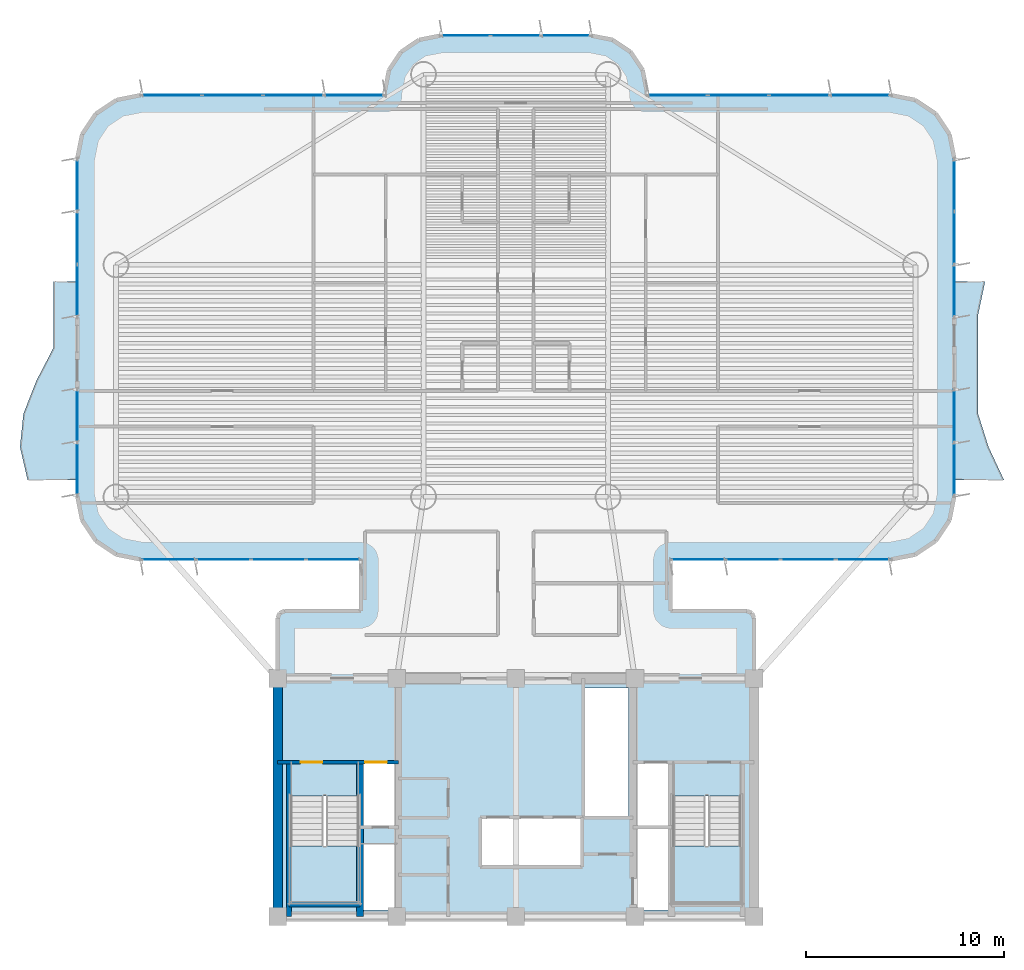
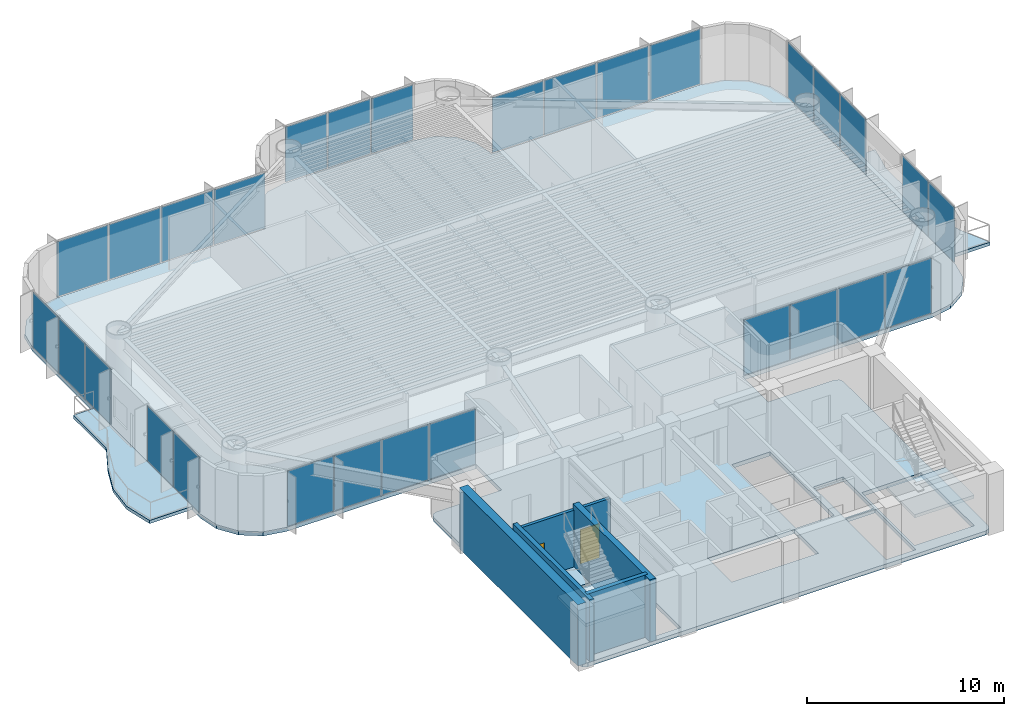
# One storey, part 8 of 16: 29 plates, 5 slabs, 5 walls, 2 doors, 2 openings, 11 elements without a shape of their own.
"""IFC4 building model written with IfcOpenShell, lengths in metres."""

from ifc_helpers import new_model, si_unit, direction, frame, frame_2d, origin, origin_2d, place, context, subcontext, project, spatial, polyline, rectangle, outline, extrude, source, transform, mapped, material, layer, layer_set, type_object, element, fill, aggregate, save


model = new_model("IFC4")

# Units and contexts
model_context = context("Model", 3, precision=1e-05, world=origin(), true_north=direction((0.0, 1.0)))
body_context = subcontext(model_context, "Body", "Model", "MODEL_VIEW")
ifc_project = project(units=[si_unit("LENGTHUNIT", "METRE"), si_unit("AREAUNIT", "SQUARE_METRE"), si_unit("VOLUMEUNIT", "CUBIC_METRE"), si_unit("PLANEANGLEUNIT", "RADIAN"), si_unit("MASSUNIT", "GRAM", prefix="KILO")], contexts=[model_context])

# Site, building, storey
site_placement = place(None, origin())
site = spatial("IfcSite", under=ifc_project, at=site_placement, CompositionType="ELEMENT")
building_placement = place(site_placement, origin())
building = spatial("IfcBuilding", under=site, at=building_placement, Name="Brelvock Crest Care Tower", CompositionType="ELEMENT")
storey_placement = place(building_placement, frame((0.0, 0.0, 138.9599609375)))
storey = spatial("IfcBuildingStorey", under=building, at=storey_placement, Name="L35", CompositionType="ELEMENT", Elevation=138.9599609375)

# Slabs
ifc_material_1 = material(Name="Concrete N50 (50 MPa)", Category="concrete")
ifc_layer_1 = layer(ifc_material_1, 0.22998046875, Name="SLB-FL4")
ifc_layer_set_1 = layer_set([ifc_layer_1], Name="Concrete N50 (50 MPa)")
slab_type_1 = type_object("IfcSlabType", Name="SLB-FL4", PredefinedType="FLOOR", material=ifc_layer_set_1)
slab_1_placement = place(storey_placement, frame((0.0, 0.0, -0.25)))
element("IfcSlab", 1, at=slab_1_placement, inside=storey, type_object=slab_type_1, Name="L35 Main Structural Slab", PredefinedType="FLOOR", context=body_context, shape_type="SweptSolid", body=[
    extrude(outline(polyline([(47.64990234375, 21.39990234375), (43.800048828125, 21.39990234375), (43.800048828125, 24.0), (54.89990234375, 24.0), (56.12451171875, 24.24365234375), (57.16259765625, 24.937255859375), (57.8564453125, 25.975341796875), (58.10009765625, 27.199951171875), (58.10009765625, 44.199951171875), (57.8564453125, 45.424560546875), (57.16259765625, 46.462646484375), (56.12451171875, 47.156494140625), (54.89990234375, 47.39990234375), (42.60009765625, 47.39990234375), (42.60009765625, 47.60009765625), (42.386962890625, 48.67138671875), (41.77978515625, 49.579833984375), (40.87158203125, 50.18701171875), (39.800048828125, 50.39990234375), (32.199951171875, 50.39990234375), (31.12841796875, 50.18701171875), (30.22021484375, 49.579833984375), (29.613037109375, 48.67138671875), (29.39990234375, 47.60009765625), (29.39990234375, 47.39990234375), (17.10009765625, 47.39990234375), (15.87548828125, 47.156494140625), (14.83740234375, 46.462646484375), (14.1435546875, 45.424560546875), (13.89990234375, 44.199951171875), (13.89990234375, 27.199951171875), (14.1435546875, 25.975341796875), (14.83740234375, 24.937255859375), (15.87548828125, 24.24365234375), (17.10009765625, 24.0), (28.199951171875, 24.0), (28.199951171875, 21.39990234375), (24.35009765625, 21.39990234375), (24.1025390625, 21.297607421875), (24.0, 21.050048828125), (24.0, 6.35009765625), (24.1025390625, 6.1025390625), (24.35009765625, 6.0), (47.64990234375, 6.0), (47.8974609375, 6.1025390625), (48.0, 6.35009765625), (48.0, 21.050048828125), (47.8974609375, 21.297607421875), (47.64990234375, 21.39990234375)]), holes=[polyline([(28.239990234375, 10.580078125), (29.97998046875, 10.580078125), (29.97998046875, 13.739990234375), (28.239990234375, 13.739990234375), (28.239990234375, 10.580078125)]), polyline([(42.02001953125, 10.580078125), (43.760009765625, 10.580078125), (43.760009765625, 13.739990234375), (42.02001953125, 13.739990234375), (42.02001953125, 10.580078125)]), polyline([(28.239990234375, 6.340087890625), (29.97998046875, 6.340087890625), (29.97998046875, 9.64990234375), (28.239990234375, 9.64990234375), (28.239990234375, 6.340087890625)]), polyline([(24.6298828125, 12.080078125), (24.6298828125, 6.699951171875), (28.110107421875, 6.699951171875), (28.110107421875, 12.080078125), (24.6298828125, 12.080078125)]), polyline([(43.889892578125, 12.080078125), (43.889892578125, 6.699951171875), (47.3701171875, 6.699951171875), (47.3701171875, 12.080078125), (43.889892578125, 12.080078125)]), polyline([(42.02001953125, 6.340087890625), (43.760009765625, 6.340087890625), (43.760009765625, 10.5), (42.02001953125, 10.5), (42.02001953125, 6.340087890625)]), polyline([(34.22998046875, 8.530029296875), (39.320068359375, 8.530029296875), (39.320068359375, 10.969970703125), (34.22998046875, 10.969970703125), (34.22998046875, 8.530029296875)]), polyline([(39.429931640625, 11.030029296875), (41.669921875, 11.030029296875), (41.669921875, 17.52001953125), (39.429931640625, 17.52001953125), (39.429931640625, 11.030029296875)])]), origin(), (0.0, 0.0, 1.0), 0.25),
])
ifc_layer_2 = layer(ifc_material_1, 0.199951171875, Name="SLB-WB2")
ifc_layer_set_2 = layer_set([ifc_layer_2], Name="Concrete N50 (50 MPa)")
slab_type_2 = type_object("IfcSlabType", Name="SLB-WB2", PredefinedType="FLOOR", material=ifc_layer_set_2)
slab_2_placement = place(storey_placement, frame((0.0, 0.0, -0.199951171875)))
element("IfcSlab", 2, at=slab_2_placement, inside=storey, type_object=slab_type_2, Name="L35 W Sinusoidal Wave Balcony Slab", PredefinedType="FLOOR", context=body_context, shape_type="SweptSolid", body=[
    extrude(outline(polyline([(13.89990234375, 38.0), (12.699951171875, 38.0), (12.699951171875, 36.333251953125), (12.699462890625, 34.666748046875), (11.83349609375, 33.0), (11.180908203125, 31.333251953125), (11.011474609375, 29.666748046875), (11.3955078125, 28.0), (13.89990234375, 28.0), (13.89990234375, 38.0)])), origin(), (0.0, 0.0, 1.0), 0.199951171875),
])
slab_3_placement = place(storey_placement, frame((0.0, 0.0, -0.199951171875)))
element("IfcSlab", 3, at=slab_3_placement, inside=storey, type_object=slab_type_2, Name="L35 E Sinusoidal Wave Balcony Slab", PredefinedType="FLOOR", context=body_context, shape_type="SweptSolid", body=[
    extrude(outline(polyline([(58.10009765625, 28.0), (60.6044921875, 28.0), (59.826171875, 29.666748046875), (59.300048828125, 31.333251953125), (59.300048828125, 33.0), (59.300048828125, 34.666748046875), (59.300048828125, 36.333251953125), (59.64990234375, 38.0), (58.10009765625, 38.0), (58.10009765625, 28.0)])), origin(), (0.0, 0.0, 1.0), 0.199951171875),
])

# Stair, slab
ifc_material_2 = material(Name="Concrete N40 (40 MPa)", Category="concrete")
stair_type = type_object("IfcStairType", Name="ST-CORE1", PredefinedType="HALF_TURN_STAIR", material=ifc_material_2)
stair_1_placement = place(storey_placement, origin())
stair_1 = element("IfcStair", 4, at=stair_1_placement, inside=storey, type_object=stair_type, Name="L35 Fire-Isolated Core Stair ST-1", PredefinedType="HALF_TURN_STAIR")
ifc_layer_3 = layer(ifc_material_2, 0.199951171875, Name="STL-1")
ifc_layer_set_3 = layer_set([ifc_layer_3], Name="Concrete N40 (40 MPa)")
slab_type_3 = type_object("IfcSlabType", Name="STL-1", PredefinedType="LANDING", material=ifc_layer_set_3)
slab_4_placement = place(storey_placement, frame((0.0, 0.0, 1.68994140625)))
slab_4 = element("IfcSlab", 5, at=slab_4_placement, type_object=slab_type_3, Name="ST-1 landing 1", PredefinedType="LANDING", context=body_context, shape_type="SweptSolid", body=[
    extrude(outline(polyline([(24.6298828125, 9.56005859375), (24.6298828125, 6.699951171875), (28.110107421875, 6.699951171875), (28.110107421875, 9.56005859375), (24.6298828125, 9.56005859375)])), origin(), (0.0, 0.0, 1.0), 0.2001953125),
])
aggregate(stair_1, [slab_4])

stair_2_placement = place(storey_placement, origin())
stair_2 = element("IfcStair", 6, at=stair_2_placement, inside=storey, type_object=stair_type, Name="L35 Fire-Isolated Core Stair ST-2", PredefinedType="HALF_TURN_STAIR")
slab_5_placement = place(storey_placement, frame((0.0, 0.0, 1.68994140625)))
slab_5 = element("IfcSlab", 7, at=slab_5_placement, type_object=slab_type_3, Name="ST-2 landing 1", PredefinedType="LANDING", context=body_context, shape_type="SweptSolid", body=[
    extrude(outline(polyline([(43.889892578125, 9.56005859375), (43.889892578125, 6.699951171875), (47.3701171875, 6.699951171875), (47.3701171875, 9.56005859375), (43.889892578125, 9.56005859375)])), origin(), (0.0, 0.0, 1.0), 0.2001953125),
])
aggregate(stair_2, [slab_5])

# Curtain wall, plates
ifc_material_3 = material(Name="Dark Glass Double Glazed Low-E", Category="glass")
ifc_layer_4 = layer(ifc_material_3, 0.2099609375, Name="CWS-3")
ifc_layer_set_4 = layer_set([ifc_layer_4], Name="Dark Glass Double Glazed Low-E")
curtain_wall_type = type_object("IfcCurtainWallType", Name="CWS-3", PredefinedType="NOTDEFINED", material=ifc_layer_set_4)
curtain_wall_1_placement = place(storey_placement, origin())
curtain_wall_1 = element("IfcCurtainWall", 8, at=curtain_wall_1_placement, inside=storey, type_object=curtain_wall_type, Name="L35 Curtain Wall E12", PredefinedType="NOTDEFINED")
ifc_layer_5 = layer(ifc_material_3, 0.031982421875, Name="CWP-V1")
ifc_layer_set_5 = layer_set([ifc_layer_5], Name="Dark Glass Double Glazed Low-E")
plate_type = type_object("IfcPlateType", Name="CWP-V1", PredefinedType="CURTAIN_PANEL", material=ifc_layer_set_5)
shared_shape_1 = source(origin(), body_context, "Body", "SweptSolid", [
    extrude(rectangle(XDim=2.68505859375, YDim=0.035888671875, at=origin_2d()), origin(), (0.0, 0.0, 1.0), 3.409912109375),
])
plate_1_placement = place(storey_placement, frame((26.797607421875, 24.0, 0.06005859375), z_axis=(0.0, 0.0, 1.0), x_axis=(-1.0, 0.0, 0.0)))
plate_1 = element("IfcPlate", 9, at=plate_1_placement, type_object=plate_type, Name="CW-3 panel 1.1", PredefinedType="CURTAIN_PANEL", context=body_context, shape_type="MappedRepresentation", body=[
    mapped(shared_shape_1, transform((0.0, 0.0, 0.0), x_axis=(1.0, 0.0, 0.0), y_axis=(0.0, 1.0, 0.0), z_axis=(0.0, 0.0, 1.0), scale=1.0)),
])
plate_2_placement = place(storey_placement, frame((18.50244140625, 24.0, 0.06005859375), z_axis=(0.0, 0.0, 1.0), x_axis=(-1.0, 0.0, 0.0)))
plate_2 = element("IfcPlate", 10, at=plate_2_placement, type_object=plate_type, Name="CW-3 panel 4.1", PredefinedType="CURTAIN_PANEL", context=body_context, shape_type="MappedRepresentation", body=[
    mapped(shared_shape_1, transform((0.0, 0.0, 0.0), x_axis=(1.0, 0.0, 0.0), y_axis=(0.0, 1.0, 0.0), z_axis=(0.0, 0.0, 1.0), scale=1.0)),
])

curtain_wall_2_placement = place(storey_placement, origin())
curtain_wall_2 = element("IfcCurtainWall", 11, at=curtain_wall_2_placement, inside=storey, type_object=curtain_wall_type, Name="L35 Curtain Wall E44", PredefinedType="NOTDEFINED")
plate_3_placement = place(storey_placement, frame((53.49755859375, 24.0, 0.06005859375), z_axis=(0.0, 0.0, 1.0), x_axis=(-1.0, 0.0, 0.0)))
plate_3 = element("IfcPlate", 12, at=plate_3_placement, type_object=plate_type, Name="CW-3 panel 1.1", PredefinedType="CURTAIN_PANEL", context=body_context, shape_type="MappedRepresentation", body=[
    mapped(shared_shape_1, transform((0.0, 0.0, 0.0), x_axis=(1.0, 0.0, 0.0), y_axis=(0.0, 1.0, 0.0), z_axis=(0.0, 0.0, 1.0), scale=1.0)),
])
plate_4_placement = place(storey_placement, frame((45.202392578125, 24.0, 0.06005859375), z_axis=(0.0, 0.0, 1.0), x_axis=(-1.0, 0.0, 0.0)))
plate_4 = element("IfcPlate", 13, at=plate_4_placement, type_object=plate_type, Name="CW-3 panel 4.1", PredefinedType="CURTAIN_PANEL", context=body_context, shape_type="MappedRepresentation", body=[
    mapped(shared_shape_1, transform((0.0, 0.0, 0.0), x_axis=(1.0, 0.0, 0.0), y_axis=(0.0, 1.0, 0.0), z_axis=(0.0, 0.0, 1.0), scale=1.0)),
])

# Plate
shared_shape_2 = source(origin(), body_context, "Body", "SweptSolid", [
    extrude(rectangle(XDim=2.715087890625, YDim=0.035888671875, at=origin_2d()), origin(), (0.0, 0.0, 1.0), 3.409912109375),
])
plate_5_placement = place(storey_placement, frame((24.03759765625, 24.0, 0.06005859375), z_axis=(0.0, 0.0, 1.0), x_axis=(-1.0, 0.0, 0.0)))
plate_5 = element("IfcPlate", 14, at=plate_5_placement, type_object=plate_type, Name="CW-3 panel 2.1", PredefinedType="CURTAIN_PANEL", context=body_context, shape_type="MappedRepresentation", body=[
    mapped(shared_shape_2, transform((0.0, 0.0, 0.0), x_axis=(1.0, 0.0, 0.0), y_axis=(0.0, 1.0, 0.0), z_axis=(0.0, 0.0, 1.0), scale=1.0)),
])

plate_6_placement = place(storey_placement, frame((21.262451171875, 24.0, 0.06005859375), z_axis=(0.0, 0.0, 1.0), x_axis=(-1.0, 0.0, 0.0)))
plate_6 = element("IfcPlate", 15, at=plate_6_placement, type_object=plate_type, Name="CW-3 panel 3.1", PredefinedType="CURTAIN_PANEL", context=body_context, shape_type="MappedRepresentation", body=[
    mapped(shared_shape_2, transform((0.0, 0.0, 0.0), x_axis=(1.0, 0.0, 0.0), y_axis=(0.0, 1.0, 0.0), z_axis=(0.0, 0.0, 1.0), scale=1.0)),
])

aggregate(curtain_wall_1, [plate_1, plate_5, plate_6, plate_2])

plate_7_placement = place(storey_placement, frame((50.737548828125, 24.0, 0.06005859375), z_axis=(0.0, 0.0, 1.0), x_axis=(-1.0, 0.0, 0.0)))
plate_7 = element("IfcPlate", 16, at=plate_7_placement, type_object=plate_type, Name="CW-3 panel 2.1", PredefinedType="CURTAIN_PANEL", context=body_context, shape_type="MappedRepresentation", body=[
    mapped(shared_shape_2, transform((0.0, 0.0, 0.0), x_axis=(1.0, 0.0, 0.0), y_axis=(0.0, 1.0, 0.0), z_axis=(0.0, 0.0, 1.0), scale=1.0)),
])

plate_8_placement = place(storey_placement, frame((47.96240234375, 24.0, 0.06005859375), z_axis=(0.0, 0.0, 1.0), x_axis=(-1.0, 0.0, 0.0)))
plate_8 = element("IfcPlate", 17, at=plate_8_placement, type_object=plate_type, Name="CW-3 panel 3.1", PredefinedType="CURTAIN_PANEL", context=body_context, shape_type="MappedRepresentation", body=[
    mapped(shared_shape_2, transform((0.0, 0.0, 0.0), x_axis=(1.0, 0.0, 0.0), y_axis=(0.0, 1.0, 0.0), z_axis=(0.0, 0.0, 1.0), scale=1.0)),
])

aggregate(curtain_wall_2, [plate_3, plate_7, plate_8, plate_4])

# Curtain wall, plates
curtain_wall_3_placement = place(storey_placement, origin())
curtain_wall_3 = element("IfcCurtainWall", 18, at=curtain_wall_3_placement, inside=storey, type_object=curtain_wall_type, Name="L35 Curtain Wall E22", PredefinedType="NOTDEFINED")
shared_shape_3 = source(origin(), body_context, "Body", "SweptSolid", [
    extrude(rectangle(XDim=2.985107421875, YDim=0.035888671875, at=origin_2d()), origin(), (0.0, 0.0, 1.0), 3.409912109375),
])
plate_9_placement = place(storey_placement, frame((18.652587890625, 47.39990234375, 0.06005859375), z_axis=(0.0, 0.0, 1.0), x_axis=(1.0, 0.0, 0.0)))
plate_9 = element("IfcPlate", 19, at=plate_9_placement, type_object=plate_type, Name="CW-3 panel 1.1", PredefinedType="CURTAIN_PANEL", context=body_context, shape_type="MappedRepresentation", body=[
    mapped(shared_shape_3, transform((0.0, 0.0, 0.0), x_axis=(1.0, 0.0, 0.0), y_axis=(0.0, 1.0, 0.0), z_axis=(0.0, 0.0, 1.0), scale=1.0)),
])
plate_10_placement = place(storey_placement, frame((27.847412109375, 47.39990234375, 0.06005859375), z_axis=(0.0, 0.0, 1.0), x_axis=(1.0, 0.0, 0.0)))
plate_10 = element("IfcPlate", 20, at=plate_10_placement, type_object=plate_type, Name="CW-3 panel 4.1", PredefinedType="CURTAIN_PANEL", context=body_context, shape_type="MappedRepresentation", body=[
    mapped(shared_shape_3, transform((0.0, 0.0, 0.0), x_axis=(1.0, 0.0, 0.0), y_axis=(0.0, 1.0, 0.0), z_axis=(0.0, 0.0, 1.0), scale=1.0)),
])

curtain_wall_4_placement = place(storey_placement, origin())
curtain_wall_4 = element("IfcCurtainWall", 21, at=curtain_wall_4_placement, inside=storey, type_object=curtain_wall_type, Name="L35 Curtain Wall E34", PredefinedType="NOTDEFINED")
plate_11_placement = place(storey_placement, frame((44.152587890625, 47.39990234375, 0.06005859375), z_axis=(0.0, 0.0, 1.0), x_axis=(1.0, 0.0, 0.0)))
plate_11 = element("IfcPlate", 22, at=plate_11_placement, type_object=plate_type, Name="CW-3 panel 1.1", PredefinedType="CURTAIN_PANEL", context=body_context, shape_type="MappedRepresentation", body=[
    mapped(shared_shape_3, transform((0.0, 0.0, 0.0), x_axis=(1.0, 0.0, 0.0), y_axis=(0.0, 1.0, 0.0), z_axis=(0.0, 0.0, 1.0), scale=1.0)),
])
plate_12_placement = place(storey_placement, frame((53.347412109375, 47.39990234375, 0.06005859375), z_axis=(0.0, 0.0, 1.0), x_axis=(1.0, 0.0, 0.0)))
plate_12 = element("IfcPlate", 23, at=plate_12_placement, type_object=plate_type, Name="CW-3 panel 4.1", PredefinedType="CURTAIN_PANEL", context=body_context, shape_type="MappedRepresentation", body=[
    mapped(shared_shape_3, transform((0.0, 0.0, 0.0), x_axis=(1.0, 0.0, 0.0), y_axis=(0.0, 1.0, 0.0), z_axis=(0.0, 0.0, 1.0), scale=1.0)),
])

# Plate
shared_shape_4 = source(origin(), body_context, "Body", "SweptSolid", [
    extrude(rectangle(XDim=3.014892578125, YDim=0.035888671875, at=origin_2d()), origin(), (0.0, 0.0, 1.0), 3.409912109375),
])
plate_13_placement = place(storey_placement, frame((21.71240234375, 47.39990234375, 0.06005859375), z_axis=(0.0, 0.0, 1.0), x_axis=(1.0, 0.0, 0.0)))
plate_13 = element("IfcPlate", 24, at=plate_13_placement, type_object=plate_type, Name="CW-3 panel 2.1", PredefinedType="CURTAIN_PANEL", context=body_context, shape_type="MappedRepresentation", body=[
    mapped(shared_shape_4, transform((0.0, 0.0, 0.0), x_axis=(1.0, 0.0, 0.0), y_axis=(0.0, 1.0, 0.0), z_axis=(0.0, 0.0, 1.0), scale=1.0)),
])

plate_14_placement = place(storey_placement, frame((24.78759765625, 47.39990234375, 0.06005859375), z_axis=(0.0, 0.0, 1.0), x_axis=(1.0, 0.0, 0.0)))
plate_14 = element("IfcPlate", 25, at=plate_14_placement, type_object=plate_type, Name="CW-3 panel 3.1", PredefinedType="CURTAIN_PANEL", context=body_context, shape_type="MappedRepresentation", body=[
    mapped(shared_shape_4, transform((0.0, 0.0, 0.0), x_axis=(1.0, 0.0, 0.0), y_axis=(0.0, 1.0, 0.0), z_axis=(0.0, 0.0, 1.0), scale=1.0)),
])

aggregate(curtain_wall_3, [plate_9, plate_13, plate_14, plate_10])

plate_15_placement = place(storey_placement, frame((47.21240234375, 47.39990234375, 0.06005859375), z_axis=(0.0, 0.0, 1.0), x_axis=(1.0, 0.0, 0.0)))
plate_15 = element("IfcPlate", 26, at=plate_15_placement, type_object=plate_type, Name="CW-3 panel 2.1", PredefinedType="CURTAIN_PANEL", context=body_context, shape_type="MappedRepresentation", body=[
    mapped(shared_shape_4, transform((0.0, 0.0, 0.0), x_axis=(1.0, 0.0, 0.0), y_axis=(0.0, 1.0, 0.0), z_axis=(0.0, 0.0, 1.0), scale=1.0)),
])

plate_16_placement = place(storey_placement, frame((50.28759765625, 47.39990234375, 0.06005859375), z_axis=(0.0, 0.0, 1.0), x_axis=(1.0, 0.0, 0.0)))
plate_16 = element("IfcPlate", 27, at=plate_16_placement, type_object=plate_type, Name="CW-3 panel 3.1", PredefinedType="CURTAIN_PANEL", context=body_context, shape_type="MappedRepresentation", body=[
    mapped(shared_shape_4, transform((0.0, 0.0, 0.0), x_axis=(1.0, 0.0, 0.0), y_axis=(0.0, 1.0, 0.0), z_axis=(0.0, 0.0, 1.0), scale=1.0)),
])

aggregate(curtain_wall_4, [plate_11, plate_15, plate_16, plate_12])

# Curtain wall, plates
curtain_wall_5_placement = place(storey_placement, origin())
curtain_wall_5 = element("IfcCurtainWall", 28, at=curtain_wall_5_placement, inside=storey, type_object=curtain_wall_type, Name="L35 Curtain Wall E28", PredefinedType="NOTDEFINED")
shared_shape_5 = source(origin(), body_context, "Body", "SweptSolid", [
    extrude(rectangle(XDim=2.443359375, YDim=0.035888671875, at=origin_2d()), origin(), (0.0, 0.0, 1.0), 3.409912109375),
])
plate_17_placement = place(storey_placement, frame((33.481689453125, 50.39990234375, 0.06005859375), z_axis=(0.0, 0.0, 1.0), x_axis=(1.0, 0.0, 0.0)))
plate_17 = element("IfcPlate", 29, at=plate_17_placement, type_object=plate_type, Name="CW-3 panel 1.1", PredefinedType="CURTAIN_PANEL", context=body_context, shape_type="MappedRepresentation", body=[
    mapped(shared_shape_5, transform((0.0, 0.0, 0.0), x_axis=(1.0, 0.0, 0.0), y_axis=(0.0, 1.0, 0.0), z_axis=(0.0, 0.0, 1.0), scale=1.0)),
])
plate_18_placement = place(storey_placement, frame((38.518310546875, 50.39990234375, 0.06005859375), z_axis=(0.0, 0.0, 1.0), x_axis=(1.0, 0.0, 0.0)))
plate_18 = element("IfcPlate", 30, at=plate_18_placement, type_object=plate_type, Name="CW-3 panel 3.1", PredefinedType="CURTAIN_PANEL", context=body_context, shape_type="MappedRepresentation", body=[
    mapped(shared_shape_5, transform((0.0, 0.0, 0.0), x_axis=(1.0, 0.0, 0.0), y_axis=(0.0, 1.0, 0.0), z_axis=(0.0, 0.0, 1.0), scale=1.0)),
])
shared_shape_6 = source(origin(), body_context, "Body", "SweptSolid", [
    extrude(rectangle(XDim=2.473388671875, YDim=0.035888671875, at=origin_2d()), origin(), (0.0, 0.0, 1.0), 3.409912109375),
])
plate_19_placement = place(storey_placement, frame((36.0, 50.39990234375, 0.06005859375), z_axis=(0.0, 0.0, 1.0), x_axis=(1.0, 0.0, 0.0)))
plate_19 = element("IfcPlate", 31, at=plate_19_placement, type_object=plate_type, Name="CW-3 panel 2.1", PredefinedType="CURTAIN_PANEL", context=body_context, shape_type="MappedRepresentation", body=[
    mapped(shared_shape_6, transform((0.0, 0.0, 0.0), x_axis=(1.0, 0.0, 0.0), y_axis=(0.0, 1.0, 0.0), z_axis=(0.0, 0.0, 1.0), scale=1.0)),
])
aggregate(curtain_wall_5, [plate_17, plate_19, plate_18])

curtain_wall_6_placement = place(storey_placement, origin())
curtain_wall_6 = element("IfcCurtainWall", 32, at=curtain_wall_6_placement, inside=storey, type_object=curtain_wall_type, Name="L35 Curtain Wall E17A", PredefinedType="NOTDEFINED")
shared_shape_7 = source(origin(), body_context, "Body", "SweptSolid", [
    extrude(rectangle(XDim=2.610107421875, YDim=0.035888671875, at=origin_2d()), origin(), (0.0, 0.0, 1.0), 3.409912109375),
])
plate_20_placement = place(storey_placement, frame((13.89990234375, 28.56494140625, 0.06005859375), z_axis=(0.0, 0.0, 1.0), x_axis=(0.0, 1.0, 0.0)))
plate_20 = element("IfcPlate", 33, at=plate_20_placement, type_object=plate_type, Name="CW-3 panel 1.1", PredefinedType="CURTAIN_PANEL", context=body_context, shape_type="MappedRepresentation", body=[
    mapped(shared_shape_7, transform((0.0, 0.0, 0.0), x_axis=(1.0, 0.0, 0.0), y_axis=(0.0, 1.0, 0.0), z_axis=(0.0, 0.0, 1.0), scale=1.0)),
])
plate_21_placement = place(storey_placement, frame((13.89990234375, 31.235107421875, 0.06005859375), z_axis=(0.0, 0.0, 1.0), x_axis=(0.0, 1.0, 0.0)))
plate_21 = element("IfcPlate", 34, at=plate_21_placement, type_object=plate_type, Name="CW-3 panel 2.1", PredefinedType="CURTAIN_PANEL", context=body_context, shape_type="MappedRepresentation", body=[
    mapped(shared_shape_7, transform((0.0, 0.0, 0.0), x_axis=(1.0, 0.0, 0.0), y_axis=(0.0, 1.0, 0.0), z_axis=(0.0, 0.0, 1.0), scale=1.0)),
])
aggregate(curtain_wall_6, [plate_20, plate_21])

curtain_wall_7_placement = place(storey_placement, origin())
curtain_wall_7 = element("IfcCurtainWall", 35, at=curtain_wall_7_placement, inside=storey, type_object=curtain_wall_type, Name="L35 Curtain Wall E39B", PredefinedType="NOTDEFINED")
plate_22_placement = place(storey_placement, frame((58.10009765625, 31.235107421875, 0.06005859375), z_axis=(0.0, 0.0, 1.0), x_axis=(0.0, -1.0, 0.0)))
plate_22 = element("IfcPlate", 36, at=plate_22_placement, type_object=plate_type, Name="CW-3 panel 1.1", PredefinedType="CURTAIN_PANEL", context=body_context, shape_type="MappedRepresentation", body=[
    mapped(shared_shape_7, transform((0.0, 0.0, 0.0), x_axis=(1.0, 0.0, 0.0), y_axis=(0.0, 1.0, 0.0), z_axis=(0.0, 0.0, 1.0), scale=1.0)),
])
plate_23_placement = place(storey_placement, frame((58.10009765625, 28.56494140625, 0.06005859375), z_axis=(0.0, 0.0, 1.0), x_axis=(0.0, -1.0, 0.0)))
plate_23 = element("IfcPlate", 37, at=plate_23_placement, type_object=plate_type, Name="CW-3 panel 2.1", PredefinedType="CURTAIN_PANEL", context=body_context, shape_type="MappedRepresentation", body=[
    mapped(shared_shape_7, transform((0.0, 0.0, 0.0), x_axis=(1.0, 0.0, 0.0), y_axis=(0.0, 1.0, 0.0), z_axis=(0.0, 0.0, 1.0), scale=1.0)),
])
aggregate(curtain_wall_7, [plate_22, plate_23])

curtain_wall_8_placement = place(storey_placement, origin())
curtain_wall_8 = element("IfcCurtainWall", 38, at=curtain_wall_8_placement, inside=storey, type_object=curtain_wall_type, Name="L35 Curtain Wall E17B", PredefinedType="NOTDEFINED")
shared_shape_8 = source(origin(), body_context, "Body", "SweptSolid", [
    extrude(rectangle(XDim=2.57666015625, YDim=0.035888671875, at=origin_2d()), origin(), (0.0, 0.0, 1.0), 3.409912109375),
])
plate_24_placement = place(storey_placement, frame((13.89990234375, 37.54833984375, 0.06005859375), z_axis=(0.0, 0.0, 1.0), x_axis=(0.0, 1.0, 0.0)))
plate_24 = element("IfcPlate", 39, at=plate_24_placement, type_object=plate_type, Name="CW-3 panel 1.1", PredefinedType="CURTAIN_PANEL", context=body_context, shape_type="MappedRepresentation", body=[
    mapped(shared_shape_8, transform((0.0, 0.0, 0.0), x_axis=(1.0, 0.0, 0.0), y_axis=(0.0, 1.0, 0.0), z_axis=(0.0, 0.0, 1.0), scale=1.0)),
])
plate_25_placement = place(storey_placement, frame((13.89990234375, 42.8515625, 0.06005859375), z_axis=(0.0, 0.0, 1.0), x_axis=(0.0, 1.0, 0.0)))
plate_25 = element("IfcPlate", 40, at=plate_25_placement, type_object=plate_type, Name="CW-3 panel 3.1", PredefinedType="CURTAIN_PANEL", context=body_context, shape_type="MappedRepresentation", body=[
    mapped(shared_shape_8, transform((0.0, 0.0, 0.0), x_axis=(1.0, 0.0, 0.0), y_axis=(0.0, 1.0, 0.0), z_axis=(0.0, 0.0, 1.0), scale=1.0)),
])

curtain_wall_9_placement = place(storey_placement, origin())
curtain_wall_9 = element("IfcCurtainWall", 41, at=curtain_wall_9_placement, inside=storey, type_object=curtain_wall_type, Name="L35 Curtain Wall E39A", PredefinedType="NOTDEFINED")
plate_26_placement = place(storey_placement, frame((58.10009765625, 42.8515625, 0.06005859375), z_axis=(0.0, 0.0, 1.0), x_axis=(0.0, -1.0, 0.0)))
plate_26 = element("IfcPlate", 42, at=plate_26_placement, type_object=plate_type, Name="CW-3 panel 1.1", PredefinedType="CURTAIN_PANEL", context=body_context, shape_type="MappedRepresentation", body=[
    mapped(shared_shape_8, transform((0.0, 0.0, 0.0), x_axis=(1.0, 0.0, 0.0), y_axis=(0.0, 1.0, 0.0), z_axis=(0.0, 0.0, 1.0), scale=1.0)),
])
plate_27_placement = place(storey_placement, frame((58.10009765625, 37.54833984375, 0.06005859375), z_axis=(0.0, 0.0, 1.0), x_axis=(0.0, -1.0, 0.0)))
plate_27 = element("IfcPlate", 43, at=plate_27_placement, type_object=plate_type, Name="CW-3 panel 3.1", PredefinedType="CURTAIN_PANEL", context=body_context, shape_type="MappedRepresentation", body=[
    mapped(shared_shape_8, transform((0.0, 0.0, 0.0), x_axis=(1.0, 0.0, 0.0), y_axis=(0.0, 1.0, 0.0), z_axis=(0.0, 0.0, 1.0), scale=1.0)),
])

# Plate
shared_shape_9 = source(origin(), body_context, "Body", "SweptSolid", [
    extrude(rectangle(XDim=2.606689453125, YDim=0.035888671875, at=origin_2d()), origin(), (0.0, 0.0, 1.0), 3.409912109375),
])
plate_28_placement = place(storey_placement, frame((13.89990234375, 40.199951171875, 0.06005859375), z_axis=(0.0, 0.0, 1.0), x_axis=(0.0, 1.0, 0.0)))
plate_28 = element("IfcPlate", 44, at=plate_28_placement, type_object=plate_type, Name="CW-3 panel 2.1", PredefinedType="CURTAIN_PANEL", context=body_context, shape_type="MappedRepresentation", body=[
    mapped(shared_shape_9, transform((0.0, 0.0, 0.0), x_axis=(1.0, 0.0, 0.0), y_axis=(0.0, 1.0, 0.0), z_axis=(0.0, 0.0, 1.0), scale=1.0)),
])

aggregate(curtain_wall_8, [plate_24, plate_28, plate_25])

plate_29_placement = place(storey_placement, frame((58.10009765625, 40.199951171875, 0.06005859375), z_axis=(0.0, 0.0, 1.0), x_axis=(0.0, -1.0, 0.0)))
plate_29 = element("IfcPlate", 45, at=plate_29_placement, type_object=plate_type, Name="CW-3 panel 2.1", PredefinedType="CURTAIN_PANEL", context=body_context, shape_type="MappedRepresentation", body=[
    mapped(shared_shape_9, transform((0.0, 0.0, 0.0), x_axis=(1.0, 0.0, 0.0), y_axis=(0.0, 1.0, 0.0), z_axis=(0.0, 0.0, 1.0), scale=1.0)),
])

aggregate(curtain_wall_9, [plate_26, plate_29, plate_27])

# Walls
ifc_material_4 = material(Name="Concrete S80 (80 MPa)", Category="concrete")
ifc_layer_6 = layer(ifc_material_4, 0.5, Name="WL-CS2")
ifc_layer_set_6 = layer_set([ifc_layer_6], Name="Concrete S80 (80 MPa)")
wall_type_1 = type_object("IfcWallType", Name="WL-CS2", PredefinedType="SHEAR", material=ifc_layer_set_6)
wall_1_placement = place(storey_placement, frame((24.0, 6.0, 0.0), z_axis=(0.0, 0.0, 1.0), x_axis=(0.0, 1.0, 0.0)))
element("IfcWall", 46, at=wall_1_placement, inside=storey, type_object=wall_type_1, Name="L35 Core West Shear Wall", PredefinedType="SHEAR", context=body_context, shape_type="SweptSolid", body=[
    extrude(rectangle(XDim=12.0, YDim=0.5, at=frame_2d((6.0, 0.0))), origin(), (0.0, 0.0, 1.0), 3.780029296875),
])
ifc_layer_7 = layer(ifc_material_4, 0.35009765625, Name="WL-CS5")
ifc_layer_set_7 = layer_set([ifc_layer_7], Name="Concrete S80 (80 MPa)")
wall_type_2 = type_object("IfcWallType", Name="WL-CS5", PredefinedType="SHEAR", material=ifc_layer_set_7)
wall_2_placement = place(storey_placement, frame((28.14990234375, 6.0, 0.0), z_axis=(0.0, 0.0, 1.0), x_axis=(0.0, 1.0, 0.0)))
element("IfcWall", 47, at=wall_2_placement, inside=storey, type_object=wall_type_2, Name="L35 Core Stair ST-1 East Shear Wall", PredefinedType="SHEAR", context=body_context, shape_type="SweptSolid", body=[
    extrude(rectangle(XDim=7.780029296875, YDim=0.35009765625, at=frame_2d((3.89013671875, 0.0))), origin(), (0.0, 0.0, 1.0), 3.85009765625),
])
ifc_layer_8 = layer(ifc_material_4, 0.25, Name="WL-CS6")
ifc_layer_set_8 = layer_set([ifc_layer_8], Name="Concrete S80 (80 MPa)")
wall_type_3 = type_object("IfcWallType", Name="WL-CS6", PredefinedType="SHEAR", material=ifc_layer_set_8)
wall_3_placement = place(storey_placement, frame((24.580078125, 6.0, 0.0), z_axis=(0.0, 0.0, 1.0), x_axis=(0.0, 1.0, 0.0)))
element("IfcWall", 48, at=wall_3_placement, inside=storey, type_object=wall_type_3, Name="L35 Core Stair ST-1 West Shear Wall", PredefinedType="SHEAR", context=body_context, shape_type="SweptSolid", body=[
    extrude(rectangle(XDim=7.780029296875, YDim=0.25, at=frame_2d((3.89013671875, 0.0))), origin(), (0.0, 0.0, 1.0), 3.85009765625),
])
wall_4_placement = place(storey_placement, frame((24.580078125, 6.6201171875, 0.0), z_axis=(0.0, 0.0, 1.0), x_axis=(1.0, 0.0, 0.0)))
element("IfcWall", 49, at=wall_4_placement, inside=storey, type_object=wall_type_3, Name="L35 Core Stair ST-1 South Shear Wall", PredefinedType="SHEAR", context=body_context, shape_type="SweptSolid", body=[
    extrude(rectangle(XDim=3.56982421875, YDim=0.25, at=frame_2d((1.784912109375, 0.0))), origin(), (0.0, 0.0, 1.0), 3.85009765625),
])

# Wall, openings, doors
ifc_material_5 = material(Name="Masonry Blockwork Acoustic Partition", Category="masonry")
ifc_layer_9 = layer(ifc_material_5, 0.179931640625, Name="WL-SHF1")
ifc_layer_set_9 = layer_set([ifc_layer_9], Name="Masonry Blockwork Acoustic Partition")
wall_type_4 = type_object("IfcWallType", Name="WL-SHF1", PredefinedType="PARTITIONING", material=ifc_layer_set_9)
wall_5_placement = place(storey_placement, frame((24.0, 13.780029296875, 0.0), z_axis=(0.0, 0.0, 1.0), x_axis=(1.0, 0.0, 0.0)))
wall_5 = element("IfcWall", 50, at=wall_5_placement, inside=storey, type_object=wall_type_4, Name="L35 Interior Wall WL-ST1-N-L35", PredefinedType="PARTITIONING", context=body_context, shape_type="SweptSolid", body=[
    extrude(rectangle(XDim=6.10009765625, YDim=0.179931640625, at=frame_2d((3.050048828125, 0.0))), origin(), (0.0, 0.0, 1.0), 3.5),
])
opening_1_placement = place(wall_5_placement, frame((1.14990234375, 0.0, 0.0)))
opening_1 = element("IfcOpeningElement", 51, at=opening_1_placement, cuts=wall_5, Name="Opening SD-1", PredefinedType="OPENING", context=body_context, shape_type="SweptSolid", body=[
    extrude(rectangle(XDim=1.10009765625, YDim=2.10009765625, at=origin_2d()), frame((0.550048828125, 0.10009765625, 1.050048828125), z_axis=(0.0, -1.0, 0.0), x_axis=(1.0, 0.0, 0.0)), (0.0, 0.0, 1.0), 0.199951171875),
])
opening_2_placement = place(wall_5_placement, frame((4.39990234375, 0.0, 0.0)))
opening_2 = element("IfcOpeningElement", 52, at=opening_2_placement, cuts=wall_5, Name="Opening LD", PredefinedType="OPENING", context=body_context, shape_type="SweptSolid", body=[
    extrude(rectangle(XDim=1.10009765625, YDim=2.10009765625, at=origin_2d()), frame((0.550048828125, 0.10009765625, 1.050048828125), z_axis=(0.0, -1.0, 0.0), x_axis=(1.0, 0.0, 0.0)), (0.0, 0.0, 1.0), 0.199951171875),
])
ifc_material_6 = material(Name="Steel Grade 350", Category="steel")
door_type_1 = type_object("IfcDoorType", Name="DR-ST1", OperationType="NOTDEFINED", PredefinedType="DOOR", material=ifc_material_6)
shared_shape_10 = source(origin(), body_context, "Body", "SweptSolid", [
    extrude(rectangle(XDim=1.10009765625, YDim=2.10009765625, at=origin_2d()), frame((0.550048828125, 0.02490234375, 1.050048828125), z_axis=(0.0, -1.0, 0.0), x_axis=(1.0, 0.0, 0.0)), (0.0, 0.0, 1.0), 0.050048828125),
])
door_1_placement = place(opening_1_placement, origin())
door_1 = element("IfcDoor", 53, at=door_1_placement, inside=storey, type_object=door_type_1, Name="L35 Fire Stair ST-1 Door", OperationType="SINGLE_SWING_LEFT", OverallHeight=2.10009765625, OverallWidth=1.10009765625, PredefinedType="DOOR", context=body_context, shape_type="MappedRepresentation", body=[
    mapped(shared_shape_10, transform((0.0, 0.0, 0.0), x_axis=(1.0, 0.0, 0.0), y_axis=(0.0, 1.0, 0.0), z_axis=(0.0, 0.0, 1.0), scale=1.0)),
])
fill(opening_1, door_1)
door_type_2 = type_object("IfcDoorType", Name="DR-LD1", OperationType="NOTDEFINED", PredefinedType="DOOR", material=ifc_material_6)
shared_shape_11 = source(origin(), body_context, "Body", "SweptSolid", [
    extrude(rectangle(XDim=1.10009765625, YDim=2.10009765625, at=origin_2d()), frame((0.550048828125, 0.02490234375, 1.050048828125), z_axis=(0.0, -1.0, 0.0), x_axis=(1.0, 0.0, 0.0)), (0.0, 0.0, 1.0), 0.050048828125),
])
door_2_placement = place(opening_2_placement, origin())
door_2 = element("IfcDoor", 54, at=door_2_placement, inside=storey, type_object=door_type_2, Name="L35 Firefighting Lift FFL-1 Landing Door", OperationType="SLIDING_TO_LEFT", OverallHeight=2.10009765625, OverallWidth=1.10009765625, PredefinedType="DOOR", context=body_context, shape_type="MappedRepresentation", body=[
    mapped(shared_shape_11, transform((0.0, 0.0, 0.0), x_axis=(1.0, 0.0, 0.0), y_axis=(0.0, 1.0, 0.0), z_axis=(0.0, 0.0, 1.0), scale=1.0)),
])
fill(opening_2, door_2)

save(model, "model.ifc")
